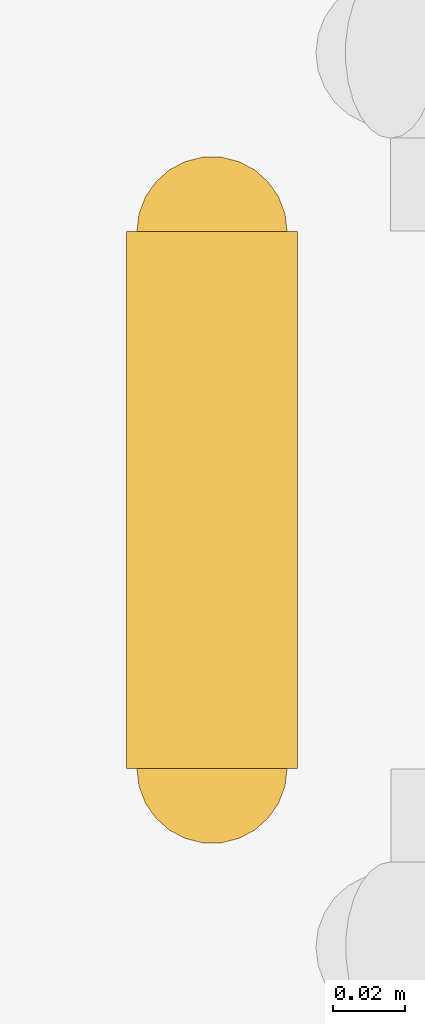
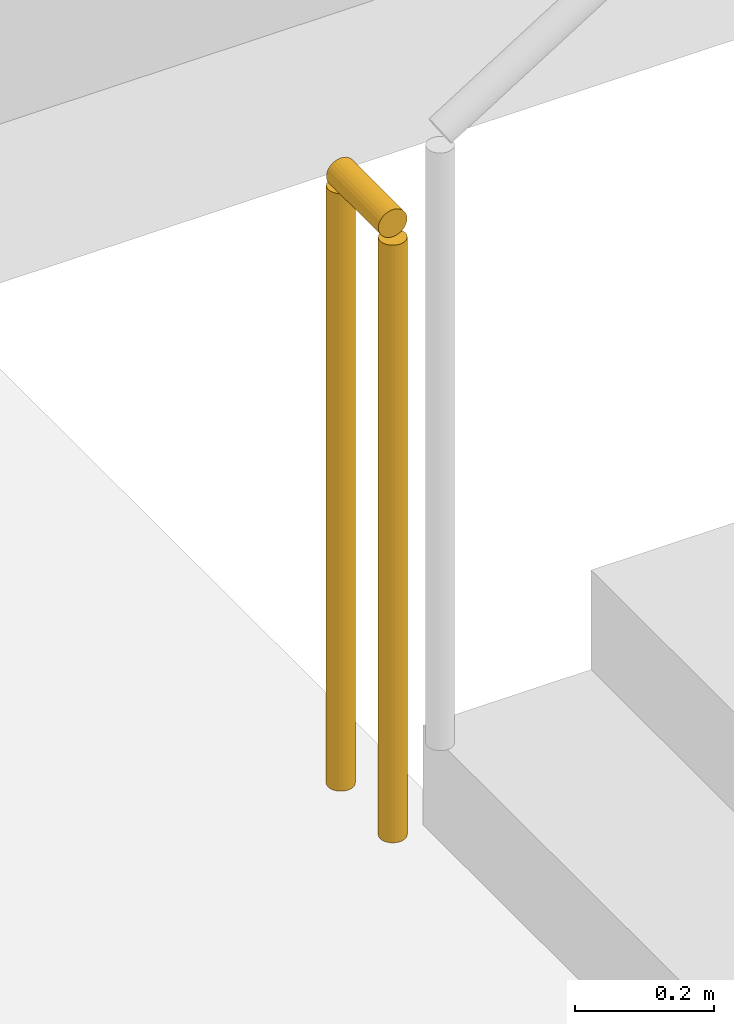
# One storey, part 41 of 46: 1 railing.
"""IFC4 building model written with IfcOpenShell, lengths in metres."""

import ifcopenshell
import ifcopenshell.guid

model = None  # the IFC model being written
_history = None  # IfcOwnerHistory: only IFC2X3 demands one
_inside = {}  # id of a spatial element -> (the spatial element, [elements in it])
_under = {}  # id of a project, library or spatial element -> (it, [spatial elements below it])
_declared = {}  # id of a project -> (the project, [libraries it declares])
_typed = {}  # id of a type object -> (the type object, [elements of that type])
_made_of = {}  # id of a material, layer set ... -> (it, [elements and type objects made of it])


def new_model(schema):
    """Start an empty IFC model of exactly this schema.

    Asked for "IFC4X3", IfcOpenShell would pick the latest addendum, in which some entities
    have other attributes; the version numbers below select the first issue.
    IFC2X3 requires an IfcOwnerHistory on every rooted entity: one is made here for all.
    """
    global model, _history
    if schema == "IFC4X3":
        model = ifcopenshell.file(schema_version=(4, 3, 0, 0))
    else:
        model = ifcopenshell.file(schema=schema)
    _inside.clear()
    _under.clear()
    _declared.clear()
    _typed.clear()
    _made_of.clear()
    _history = None
    if model.schema == "IFC2X3":
        org = make("IfcOrganization", Name="unknown")
        user = make(
            "IfcPersonAndOrganization",
            ThePerson=make("IfcPerson", FamilyName="unknown"),
            TheOrganization=org,
        )
        app = make(
            "IfcApplication",
            ApplicationDeveloper=org,
            Version="unknown",
            ApplicationFullName="unknown",
            ApplicationIdentifier="unknown",
        )
        _history = make(
            "IfcOwnerHistory",
            OwningUser=user,
            OwningApplication=app,
            ChangeAction="ADDED",
            CreationDate=0,
        )
    return model


def make(cls, **values):
    """One entity of the class cls with the attributes given. An attribute that is None is left unset."""
    return model.create_entity(
        cls, **{name: value for name, value in values.items() if value is not None}
    )


def rooted(cls, **values):
    """An entity with a GlobalId (a new one), such as an element, a storey or a relation."""
    return make(cls, GlobalId=ifcopenshell.guid.new(), OwnerHistory=_history, **values)


def si_unit(unit_type, name, prefix=None):
    """IfcSIUnit, for example si_unit("LENGTHUNIT", "METRE", prefix="MILLI")."""
    return make("IfcSIUnit", UnitType=unit_type, Prefix=prefix, Name=name)


def assignment(units):
    """IfcUnitAssignment: the units of a project."""
    return None if units is None else make("IfcUnitAssignment", Units=units)


def point(xyz):
    """IfcCartesianPoint."""
    return None if xyz is None else make("IfcCartesianPoint", Coordinates=xyz)


def direction(xyz):
    """IfcDirection."""
    return None if xyz is None else make("IfcDirection", DirectionRatios=xyz)


def frame(location, z_axis=None, x_axis=None):
    """IfcAxis2Placement3D, a coordinate frame: its origin and axes. An axis left out is left unset."""
    return make(
        "IfcAxis2Placement3D",
        Location=point(location),
        Axis=direction(z_axis),
        RefDirection=direction(x_axis),
    )


def frame_2d(location, x_axis=None):
    """IfcAxis2Placement2D, a coordinate frame in the plane: its origin and x axis."""
    return make(
        "IfcAxis2Placement2D", Location=point(location), RefDirection=direction(x_axis)
    )


def origin():
    """The frame at (0, 0, 0) with its axes left unset."""
    return frame((0.0, 0.0, 0.0))


def origin_2d():
    """The frame at (0, 0) in the plane with its x axis left unset."""
    return frame_2d((0.0, 0.0))


def place(relative_to, where):
    """IfcLocalPlacement: puts the frame where relative to a parent placement (None: the world)."""
    return make(
        "IfcLocalPlacement", PlacementRelTo=relative_to, RelativePlacement=where
    )


def context(
    kind, dimensions, precision=None, world=None, true_north=None, identifier=None
):
    """IfcGeometricRepresentationContext, for example the 3D "Model" context."""
    return make(
        "IfcGeometricRepresentationContext",
        ContextIdentifier=identifier,
        ContextType=kind,
        CoordinateSpaceDimension=dimensions,
        Precision=precision,
        WorldCoordinateSystem=world,
        TrueNorth=true_north,
    )


def subcontext(parent, identifier, kind, view, scale=None):
    """IfcGeometricRepresentationSubContext, for example "Body" below "Model"."""
    return make(
        "IfcGeometricRepresentationSubContext",
        ContextIdentifier=identifier,
        ContextType=kind,
        ParentContext=parent,
        TargetScale=scale,
        TargetView=view,
    )


def project(units=None, contexts=None):
    """IfcProject with its units and contexts."""
    return rooted(
        "IfcProject",
        Name="project",
        RepresentationContexts=contexts,
        UnitsInContext=assignment(units),
    )


def spatial(cls, under=None, at=None, **own):
    """A site, building, storey or space (cls), placed at a placement, below another one or the project."""
    s = rooted(cls, ObjectPlacement=at, **own)
    if under is not None:
        _under.setdefault(under.id(), (under, []))[1].append(s)
    return s


def profile(cls, at=None, kind="AREA", **sizes):
    """A parametric profile (cls). Its sizes go by their IFC names, for example OverallWidth=200.0."""
    return make(cls, ProfileType=kind, Position=at, **sizes)


def circle(**sizes):
    """IfcCircleProfileDef."""
    return profile("IfcCircleProfileDef", **sizes)


def extrude(swept, where, along, depth):
    """IfcExtrudedAreaSolid: the profile swept, set in the frame where, extruded along a direction by depth."""
    return make(
        "IfcExtrudedAreaSolid",
        SweptArea=swept,
        Position=where,
        ExtrudedDirection=direction(along),
        Depth=depth,
    )


def shape(context_of_items, identifier, shape_type, items):
    """IfcShapeRepresentation: the items that make up one representation, for example the "Body"."""
    return make(
        "IfcShapeRepresentation",
        ContextOfItems=context_of_items,
        RepresentationIdentifier=identifier,
        RepresentationType=shape_type,
        Items=items,
    )


def material(Name=None, Category=None):
    """IfcMaterial."""
    return make("IfcMaterial", Name=Name, Category=Category)


def made_of(thing, what):
    """Note that an element or type object is made of a material, layer set ...; save() writes the relation."""
    if what is not None:
        _made_of.setdefault(what.id(), (what, []))[1].append(thing)
    return thing


def type_object(cls, material=None, **own):
    """A type object (cls), such as IfcWallType, which elements share."""
    return made_of(rooted(cls, **own), material)


def element(
    cls,
    number,
    at=None,
    inside=None,
    cuts=None,
    type_object=None,
    material=None,
    context=None,
    identifier="Body",
    shape_type=None,
    held_by="IfcProductDefinitionShape",
    body=None,
    shapes=None,
    **own,
):
    """One element of the class cls, such as IfcWall. Its Tag is "e" and its number.

    at: its placement. inside: the storey or other place that contains it. cuts: it is an
    opening in that element (IfcRelVoidsElement). A single representation is given by context,
    identifier, shape_type and body (its items); several are given by shapes. held_by: the class
    of the entity that holds the representations. save() writes the other relations.
    """
    e = rooted(cls, Tag="e%d" % number, ObjectPlacement=at, **own)
    if body is not None:
        shapes = [shape(context, identifier, shape_type, body)]
    if shapes is not None:
        e.Representation = make(held_by, Representations=shapes)
    if inside is not None:
        _inside.setdefault(inside.id(), (inside, []))[1].append(e)
    if cuts is not None:
        rooted(
            "IfcRelVoidsElement", RelatingBuildingElement=cuts, RelatedOpeningElement=e
        )
    if type_object is not None:
        _typed.setdefault(type_object.id(), (type_object, []))[1].append(e)
    return made_of(e, material)


def aggregate(whole, parts):
    """IfcRelAggregates: a whole, such as a stair, and the parts it consists of."""
    return rooted("IfcRelAggregates", RelatingObject=whole, RelatedObjects=parts)


def save(model, path):
    """Write the relations noted so far, then the file.

    IfcRelAggregates (storeys below a building ...), IfcRelContainedInSpatialStructure (elements
    in a storey), IfcRelDefinesByType, IfcRelAssociatesMaterial and IfcRelDeclares: one each for
    every whole, place, type object, material and project.
    """
    for whole, parts in _under.values():
        aggregate(whole, parts)
    for where, things in _inside.values():
        rooted(
            "IfcRelContainedInSpatialStructure",
            RelatedElements=things,
            RelatingStructure=where,
        )
    for kind, things in _typed.values():
        rooted("IfcRelDefinesByType", RelatedObjects=things, RelatingType=kind)
    for what, things in _made_of.values():
        rooted("IfcRelAssociatesMaterial", RelatedObjects=things, RelatingMaterial=what)
    for by, libraries in _declared.values():
        rooted("IfcRelDeclares", RelatingContext=by, RelatedDefinitions=libraries)
    model.write(path)


model = new_model("IFC4")

# Units and contexts
model_context = context("Model", 3, precision=1e-05, world=origin(), true_north=direction((0.0, 1.0)))
body_context = subcontext(model_context, "Body", "Model", "MODEL_VIEW")
ifc_project = project(units=[si_unit("LENGTHUNIT", "METRE"), si_unit("AREAUNIT", "SQUARE_METRE"), si_unit("VOLUMEUNIT", "CUBIC_METRE"), si_unit("PLANEANGLEUNIT", "RADIAN"), si_unit("MASSUNIT", "GRAM", prefix="KILO")], contexts=[model_context])

# Site, building, storey
site_placement = place(None, origin())
site = spatial("IfcSite", under=ifc_project, at=site_placement, CompositionType="ELEMENT")
building_placement = place(site_placement, origin())
building = spatial("IfcBuilding", under=site, at=building_placement, Name="Qorvath Tower", CompositionType="ELEMENT")
storey_placement = place(building_placement, frame((0.0, 0.0, 87.0)))
storey = spatial("IfcBuildingStorey", under=building, at=storey_placement, Name="L19", CompositionType="ELEMENT", Elevation=87.0)

# Railing
ifc_material = material(Name="Painted galvanised steel", Category="steel")
railing_type = type_object("IfcRailingType", Name="RL-STR-GRD", PredefinedType="GUARDRAIL", material=ifc_material)
railing_placement = place(storey_placement, frame((-22.719970703125, -6.52001953125, 0.0)))
element("IfcRailing", 1, at=railing_placement, inside=storey, type_object=railing_type, Name="L19 TS2 stair guard 4", PredefinedType="GUARDRAIL", context=body_context, shape_type="SweptSolid", body=[
    extrude(circle(Radius=0.02392578125, at=origin_2d()), frame((0.0, 0.0, 1.076171875), z_axis=(0.0, 1.0, 0.0), x_axis=(-1.0, 0.0, 0.0)), (0.0, 0.0, 1.0), 0.14990234375),
    extrude(circle(Radius=0.02099609375, at=origin_2d()), origin(), (0.0, 0.0, 1.0), 1.052001953125),
    extrude(circle(Radius=0.02099609375, at=origin_2d()), frame((0.0, 0.14990234375, 0.0)), (0.0, 0.0, 1.0), 1.052001953125),
])

save(model, "model.ifc")
